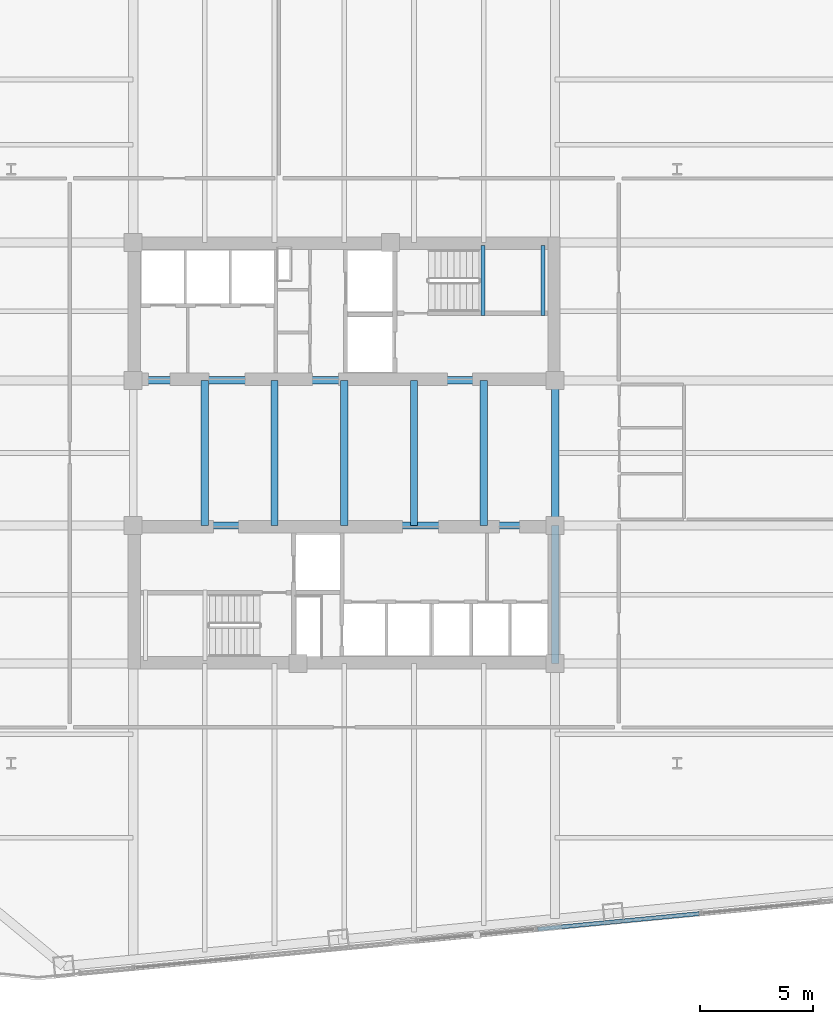
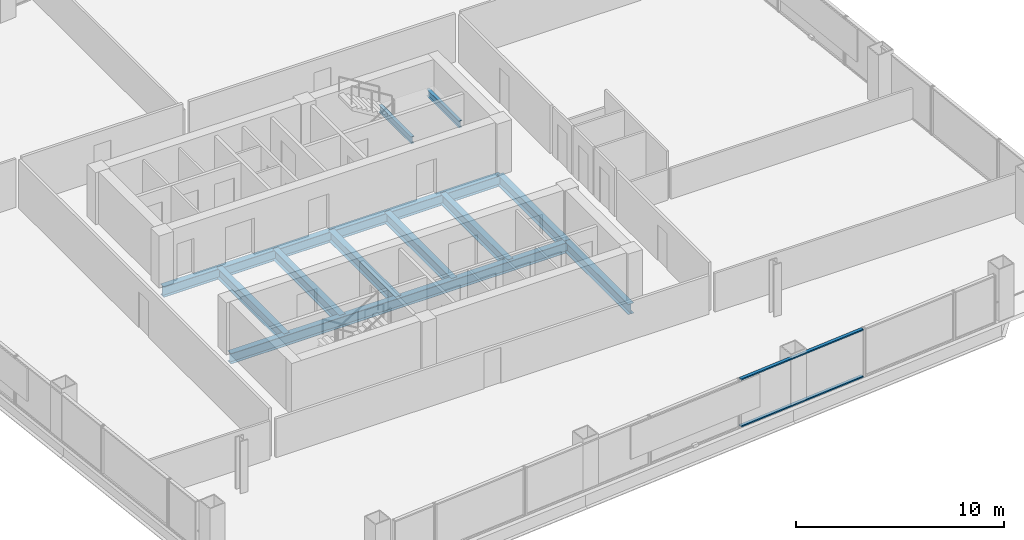
# One storey, part 8 of 26: 11 beams, 2 members, 1 element without a shape of its own.
"""IFC4 building model written with IfcOpenShell, lengths in metres."""

from ifc_helpers import new_model, si_unit, direction, frame, origin, origin_2d, place, context, subcontext, project, spatial, hollow_rectangle, i_section, extrude, material, layer, layer_set, material_profile, profile_set, type_object, element, aggregate, save


model = new_model("IFC4")

# Units and contexts
model_context = context("Model", 3, precision=1e-05, world=origin(), true_north=direction((0.0, 1.0)))
body_context = subcontext(model_context, "Body", "Model", "MODEL_VIEW")
ifc_project = project(units=[si_unit("LENGTHUNIT", "METRE"), si_unit("AREAUNIT", "SQUARE_METRE"), si_unit("VOLUMEUNIT", "CUBIC_METRE"), si_unit("PLANEANGLEUNIT", "RADIAN"), si_unit("MASSUNIT", "GRAM", prefix="KILO")], contexts=[model_context])

# Site, building, storey
site_placement = place(None, origin())
site = spatial("IfcSite", under=ifc_project, at=site_placement, CompositionType="ELEMENT")
building_placement = place(site_placement, origin())
building = spatial("IfcBuilding", under=site, at=building_placement, Name="Qhalaya Broadcast Tower", CompositionType="ELEMENT")
storey_placement = place(building_placement, frame((0.0, 0.0, 72.5)))
storey = spatial("IfcBuildingStorey", under=building, at=storey_placement, Name="L20", CompositionType="ELEMENT", Elevation=72.5)

# Beams
ifc_material_1 = material(Name="Structural Steel ASTM A992 Grade 50", Category="steel")
ifc_material_profile_1 = material_profile(ifc_material_1, i_section(OverallWidth=0.323974609375, OverallDepth=0.612060546875, WebThickness=0.0126953125, FlangeThickness=0.01904296875, at=origin_2d()), Name="W24X104")
ifc_profile_set_1 = profile_set([ifc_material_profile_1], Name="Structural Steel ASTM A992 Grade 50")
beam_type_1 = type_object("IfcBeamType", Name="Core Frame Tie Beam B04", PredefinedType="BEAM", material=ifc_profile_set_1)
for number, where, z_axis, x_axis, name in (
    (1, (-9.375, 3.824951171875, -0.52587890625), (1.0, 0.0, 0.0), (0.0, 1.0, 0.0), "L20 B04 L20-CCN1"),
    (2, (-9.375, -2.625, -0.52587890625), (1.0, 0.0, 0.0), (0.0, 1.0, 0.0), "L20 B04 L20-CCS1"),
):
    element("IfcBeam", number, at=place(storey_placement, frame(where, z_axis=z_axis, x_axis=x_axis)), inside=storey, type_object=beam_type_1, Name=name, PredefinedType="BEAM", context=body_context, shape_type="SweptSolid", body=[
        extrude(i_section(OverallWidth=0.323974609375, OverallDepth=0.612060546875, WebThickness=0.0126953125, FlangeThickness=0.01904296875, at=origin_2d()), origin(), (0.0, 0.0, 1.0), 18.75),
    ])
beam_placement = place(storey_placement, frame((9.375, -8.75, -0.52587890625), z_axis=(0.0, 1.0, 0.0), x_axis=(-1.0, 0.0, 0.0)))
element("IfcBeam", 3, at=beam_placement, inside=storey, type_object=beam_type_1, Name="L20 B04 L20-CCS2", PredefinedType="BEAM", context=body_context, shape_type="SweptSolid", body=[
    extrude(i_section(OverallWidth=0.323974609375, OverallDepth=0.612060546875, WebThickness=0.0126953125, FlangeThickness=0.01904296875, at=origin_2d()), origin(), (0.0, 0.0, 1.0), 6.125),
])
for number, where, z_axis, x_axis, name in (
    (4, (9.375, -2.625, -0.52587890625), (0.0, 1.0, 0.0), (-1.0, 0.0, 0.0), "L20 B04 L20-CCE"),
    (5, (-6.199951171875, -2.625, -0.52587890625), (0.0, 1.0, 0.0), (-1.0, 0.0, 0.0), "L20 B04 L20-JC1-1"),
    (6, (-3.10009765625, -2.625, -0.52587890625), (0.0, 1.0, 0.0), (-1.0, 0.0, 0.0), "L20 B04 L20-JC2-1"),
    (7, (0.0, -2.625, -0.52587890625), (0.0, 1.0, 0.0), (-1.0, 0.0, 0.0), "L20 B04 L20-JC3-1"),
    (8, (3.10009765625, -2.625, -0.52587890625), (0.0, 1.0, 0.0), (-1.0, 0.0, 0.0), "L20 B04 L20-JC4-1"),
    (9, (6.199951171875, -2.625, -0.52587890625), (0.0, 1.0, 0.0), (-1.0, 0.0, 0.0), "L20 B04 L20-JC5-1"),
):
    element("IfcBeam", number, at=place(storey_placement, frame(where, z_axis=z_axis, x_axis=x_axis)), inside=storey, type_object=beam_type_1, Name=name, PredefinedType="BEAM", context=body_context, shape_type="SweptSolid", body=[
        extrude(i_section(OverallWidth=0.323974609375, OverallDepth=0.612060546875, WebThickness=0.0126953125, FlangeThickness=0.01904296875, at=origin_2d()), origin(), (0.0, 0.0, 1.0), 6.449951171875),
    ])

# Curtain wall, members
ifc_material_2 = material(Name="Fired Architectural Terracotta", Category="masonry")
ifc_layer = layer(ifc_material_2, 0.219970703125, Name="Fired Architectural Terracotta")
ifc_layer_set = layer_set([ifc_layer], Name="Fired Architectural Terracotta")
curtain_wall_type = type_object("IfcCurtainWallType", Name="Block-Cap Unitised Terracotta Spandrel Wall CW-07", PredefinedType="NOTDEFINED", material=ifc_layer_set)
curtain_wall_placement = place(storey_placement, origin())
curtain_wall = element("IfcCurtainWall", 10, at=curtain_wall_placement, inside=storey, type_object=curtain_wall_type, Name="L20 Unitised Curtain Wall L20-CW-S5", PredefinedType="NOTDEFINED")
ifc_material_3 = material(Name="Anodised Aluminium 6063-T6", Category="aluminium")
ifc_material_profile_2 = material_profile(ifc_material_3, hollow_rectangle(XDim=0.074951171875, YDim=0.179931640625, WallThickness=0.00390625, at=origin_2d()), Name="ALU-TRN 75x180x4")
ifc_profile_set_2 = profile_set([ifc_material_profile_2], Name="Anodised Aluminium 6063-T6")
member_type = type_object("IfcMemberType", Name="Unitised Curtain-Wall Transom T01", PredefinedType="USERDEFINED", material=ifc_profile_set_2)
member_1_placement = place(storey_placement, frame((8.601806640625, -20.56591796875, 0.03759765625), z_axis=(0.995395868945, 0.095849173639, 0.0), x_axis=(0.0, 0.0, 1.0)))
member_1 = element("IfcMember", 11, at=member_1_placement, type_object=member_type, Name="CW-07 transom 1.1", ObjectType="TRANSOM", PredefinedType="USERDEFINED", context=body_context, shape_type="SweptSolid", body=[
    extrude(hollow_rectangle(XDim=0.074951171875, YDim=0.179931640625, WallThickness=0.00390625, at=origin_2d()), origin(), (0.0, 0.0, 1.0), 7.2109375),
])
member_2_placement = place(storey_placement, frame((8.601806640625, -20.56591796875, 2.79248046875), z_axis=(0.995395868945, 0.095849173639, 0.0), x_axis=(0.0, 0.0, 1.0)))
member_2 = element("IfcMember", 12, at=member_2_placement, type_object=member_type, Name="CW-07 transom 1.2", ObjectType="TRANSOM", PredefinedType="USERDEFINED", context=body_context, shape_type="SweptSolid", body=[
    extrude(hollow_rectangle(XDim=0.074951171875, YDim=0.179931640625, WallThickness=0.00390625, at=origin_2d()), origin(), (0.0, 0.0, 1.0), 7.2109375),
])
aggregate(curtain_wall, [member_1, member_2])

# Beams
ifc_material_profile_3 = material_profile(ifc_material_1, i_section(OverallWidth=0.177978515625, OverallDepth=0.406005859375, WebThickness=0.0078125, FlangeThickness=0.0126953125, at=origin_2d()), Name="W16X40")
ifc_profile_set_3 = profile_set([ifc_material_profile_3], Name="Structural Steel ASTM A992 Grade 50")
beam_type_2 = type_object("IfcBeamType", Name="Upper Perimeter Spandrel Beam SP2", PredefinedType="SPANDREL", material=ifc_profile_set_3)
for number, where, z_axis, x_axis, name in (
    (13, (6.175048828125, 6.699951171875, 1.1220703125), (0.0, 1.0, 0.0), (-1.0, 0.0, 0.0), "L20 ST-1 Half-Landing Bearer Beam 1"),
    (14, (8.830078125, 6.699951171875, 1.1220703125), (0.0, 1.0, 0.0), (-1.0, 0.0, 0.0), "L20 ST-1 Half-Landing Bearer Beam 2"),
):
    element("IfcBeam", number, at=place(storey_placement, frame(where, z_axis=z_axis, x_axis=x_axis)), inside=storey, type_object=beam_type_2, Name=name, PredefinedType="SPANDREL", context=body_context, shape_type="SweptSolid", body=[
        extrude(i_section(OverallWidth=0.177978515625, OverallDepth=0.406005859375, WebThickness=0.0078125, FlangeThickness=0.0126953125, at=origin_2d()), origin(), (0.0, 0.0, 1.0), 3.1201171875),
    ])

save(model, "model.ifc")
